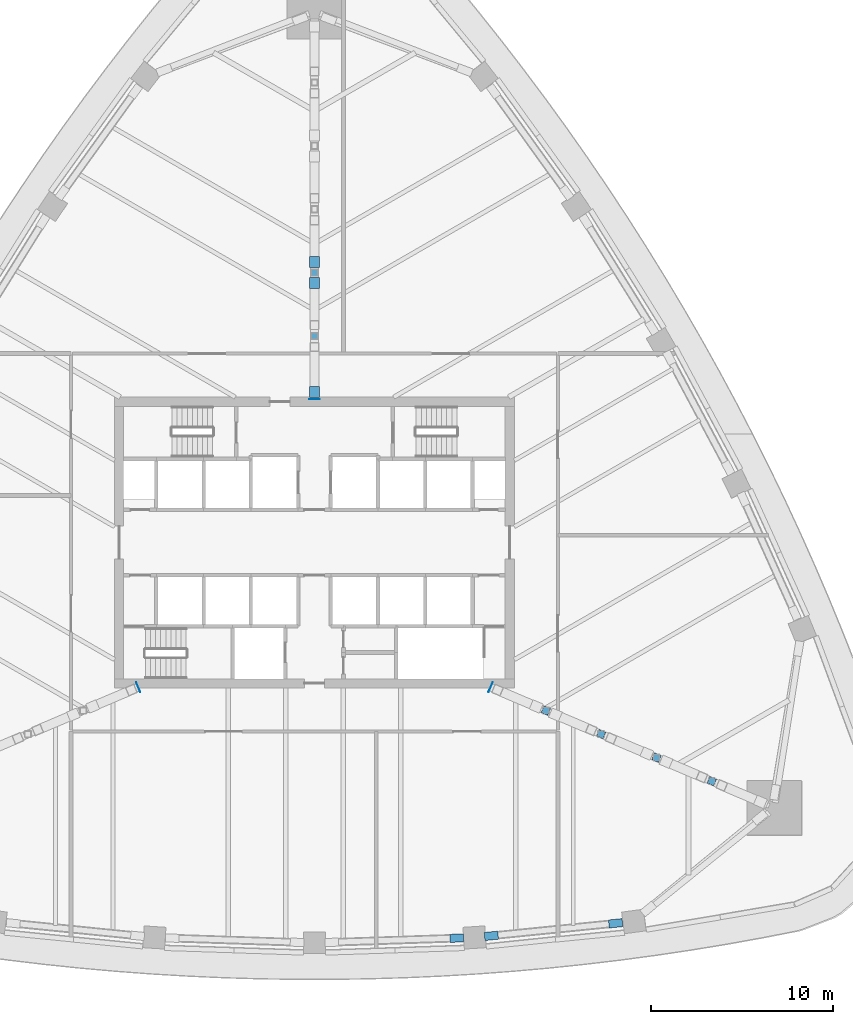
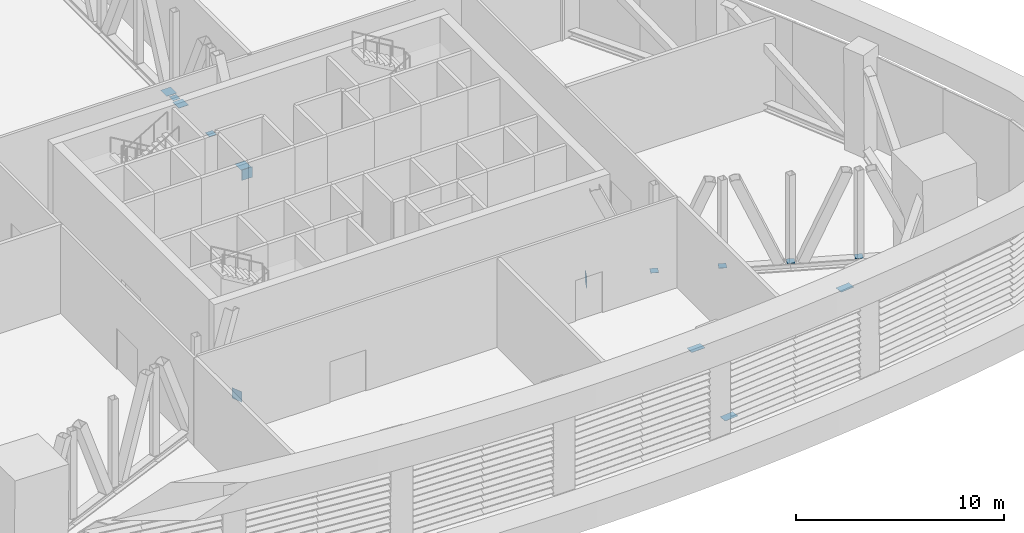
# One storey, part 9 of 18: 15 discrete accessories.
"""IFC4 building model written with IfcOpenShell, lengths in metres."""

from ifc_helpers import new_model, si_unit, direction, frame, origin, origin_2d, place, context, subcontext, project, spatial, rectangle, extrude, material, type_object, element, save


model = new_model("IFC4")

# Units and contexts
model_context = context("Model", 3, precision=1e-05, world=origin(), true_north=direction((0.0, 1.0)))
body_context = subcontext(model_context, "Body", "Model", "MODEL_VIEW")
ifc_project = project(units=[si_unit("LENGTHUNIT", "METRE"), si_unit("AREAUNIT", "SQUARE_METRE"), si_unit("VOLUMEUNIT", "CUBIC_METRE"), si_unit("PLANEANGLEUNIT", "RADIAN"), si_unit("MASSUNIT", "GRAM", prefix="KILO")], contexts=[model_context])

# Site, building, storey
site_placement = place(None, origin())
site = spatial("IfcSite", under=ifc_project, at=site_placement, CompositionType="ELEMENT")
building_placement = place(site_placement, origin())
building = spatial("IfcBuilding", under=site, at=building_placement, Name="Sierra Prisma Convention Tower", CompositionType="ELEMENT")
storey_placement = place(building_placement, frame((0.0, 0.0, 112.60009765625)))
storey = spatial("IfcBuildingStorey", under=building, at=storey_placement, Name="L24", CompositionType="ELEMENT", Elevation=112.60009765625)

# Discrete accessories
ifc_material = material(Name="Steel ASTM A992 Gr 50", Category="steel")
discrete_accessory_type = type_object("IfcDiscreteAccessoryType", Name="Truss end plate", PredefinedType="BRACKET", material=ifc_material)
for number, where, z_axis, x_axis, name in (
    (1, (7.827392578125, -21.77001953125, 5.21875), (0.0, 0.0, 1.0), (0.999442492743, 0.033387178663, 0.0), "Belt truss L24-04 diagonal 1 head end plate"),
    (2, (9.734375, -21.642333984375, 0.4580078125), (0.0, 0.0, 1.0), (0.994982672062, 0.100047400251, 0.0), "Belt truss L24-05 diagonal 1 foot end plate"),
    (3, (16.575439453125, -20.95458984375, 5.21875), (0.0, 0.0, 1.0), (0.994982672062, 0.100047400251, 0.0), "Belt truss L24-05 diagonal 1 head end plate"),
):
    element("IfcDiscreteAccessory", number, at=place(storey_placement, frame(where, z_axis=z_axis, x_axis=x_axis)), inside=storey, type_object=discrete_accessory_type, Name=name, PredefinedType="BRACKET", context=body_context, shape_type="SweptSolid", body=[
        extrude(rectangle(XDim=0.751953125, YDim=0.446044921875, at=origin_2d()), origin(), (0.0, 0.0, 1.0), 0.014892578125),
    ])
discrete_accessory_1_placement = place(storey_placement, frame((9.696533203125, -7.9560546875, -0.080078125), z_axis=(0.0, 0.0, 1.0), x_axis=(-0.920212720142, 0.391418637382, 0.0)))
element("IfcDiscreteAccessory", 4, at=discrete_accessory_1_placement, inside=storey, type_object=discrete_accessory_type, Name="Outrigger truss L24 SE bottom chord cast-in end plate", PredefinedType="BRACKET", context=body_context, shape_type="SweptSolid", body=[
    extrude(rectangle(XDim=0.014892578125, YDim=0.577880859375, at=origin_2d()), origin(), (0.0, 0.0, 1.0), 0.617919921875),
])
for number, where, z_axis, x_axis, name in (
    (5, (21.86474609375, -13.1318359375, 0.4580078125), (0.0, 0.0, 1.0), (-0.920212720142, 0.391418637382, 0.0), "Outrigger truss L24 SE post 1 end plate"),
    (6, (18.82080078125, -11.837158203125, 0.4580078125), (0.0, 0.0, 1.0), (-0.920212720142, 0.391418637382, 0.0), "Outrigger truss L24 SE post 2 end plate"),
    (7, (15.777099609375, -10.54248046875, 0.4580078125), (0.0, 0.0, 1.0), (-0.920212720142, 0.391418637382, 0.0), "Outrigger truss L24 SE post 3 end plate"),
    (8, (12.7333984375, -9.247802734375, 0.4580078125), (0.0, 0.0, 1.0), (-0.920212720142, 0.391418637382, 0.0), "Outrigger truss L24 SE post 4 end plate"),
):
    element("IfcDiscreteAccessory", number, at=place(storey_placement, frame(where, z_axis=z_axis, x_axis=x_axis)), inside=storey, type_object=discrete_accessory_type, Name=name, PredefinedType="BRACKET", context=body_context, shape_type="SweptSolid", body=[
        extrude(rectangle(XDim=0.39599609375, YDim=0.39599609375, at=origin_2d()), origin(), (0.0, 0.0, 1.0), 0.014892578125),
    ])
for number, where, z_axis, x_axis, name in (
    (9, (0.0, 15.432861328125, 0.4580078125), (0.0, 0.0, 1.0), (0.0, -1.0, 0.0), "Outrigger truss L24 N diagonal 4 foot end plate"),
    (10, (0.0, 14.279296875, 0.4580078125), (0.0, 0.0, 1.0), (0.0, -1.0, 0.0), "Outrigger truss L24 N diagonal 5 foot end plate"),
):
    element("IfcDiscreteAccessory", number, at=place(storey_placement, frame(where, z_axis=z_axis, x_axis=x_axis)), inside=storey, type_object=discrete_accessory_type, Name=name, PredefinedType="BRACKET", context=body_context, shape_type="SweptSolid", body=[
        extrude(rectangle(XDim=0.596923828125, YDim=0.548095703125, at=origin_2d()), origin(), (0.0, 0.0, 1.0), 0.014892578125),
    ])
discrete_accessory_2_placement = place(storey_placement, frame((0.0, 7.887451171875, -0.080078125), z_axis=(0.0, 0.0, 1.0), x_axis=(0.0, -1.0, 0.0)))
element("IfcDiscreteAccessory", 11, at=discrete_accessory_2_placement, inside=storey, type_object=discrete_accessory_type, Name="Outrigger truss L24 N bottom chord cast-in end plate", PredefinedType="BRACKET", context=body_context, shape_type="SweptSolid", body=[
    extrude(rectangle(XDim=0.014892578125, YDim=0.577880859375, at=origin_2d()), origin(), (0.0, 0.0, 1.0), 0.617919921875),
])
discrete_accessory_3_placement = place(storey_placement, frame((0.0, 8.2822265625, 0.4580078125), z_axis=(0.0, 0.0, 1.0), x_axis=(0.0, -1.0, 0.0)))
element("IfcDiscreteAccessory", 12, at=discrete_accessory_3_placement, inside=storey, type_object=discrete_accessory_type, Name="Outrigger truss L24 N diagonal 6 foot end plate", PredefinedType="BRACKET", context=body_context, shape_type="SweptSolid", body=[
    extrude(rectangle(XDim=0.60498046875, YDim=0.548095703125, at=origin_2d()), origin(), (0.0, 0.0, 1.0), 0.014892578125),
])
for number, where, z_axis, x_axis, name in (
    (13, (0.0, 14.856201171875, 0.4580078125), (0.0, 0.0, 1.0), (0.0, -1.0, 0.0), "Outrigger truss L24 N post 4 end plate"),
    (14, (0.0, 11.367919921875, 0.4580078125), (0.0, 0.0, 1.0), (0.0, -1.0, 0.0), "Outrigger truss L24 N post 5 end plate"),
):
    element("IfcDiscreteAccessory", number, at=place(storey_placement, frame(where, z_axis=z_axis, x_axis=x_axis)), inside=storey, type_object=discrete_accessory_type, Name=name, PredefinedType="BRACKET", context=body_context, shape_type="SweptSolid", body=[
        extrude(rectangle(XDim=0.39599609375, YDim=0.39599609375, at=origin_2d()), origin(), (0.0, 0.0, 1.0), 0.014892578125),
    ])
discrete_accessory_4_placement = place(storey_placement, frame((-9.696533203125, -7.9560546875, -0.080078125), z_axis=(0.0, 0.0, 1.0), x_axis=(0.920212720142, 0.391418637382, 0.0)))
element("IfcDiscreteAccessory", 15, at=discrete_accessory_4_placement, inside=storey, type_object=discrete_accessory_type, Name="Outrigger truss L24 SW bottom chord cast-in end plate", PredefinedType="BRACKET", context=body_context, shape_type="SweptSolid", body=[
    extrude(rectangle(XDim=0.014892578125, YDim=0.577880859375, at=origin_2d()), origin(), (0.0, 0.0, 1.0), 0.617919921875),
])

save(model, "model.ifc")
